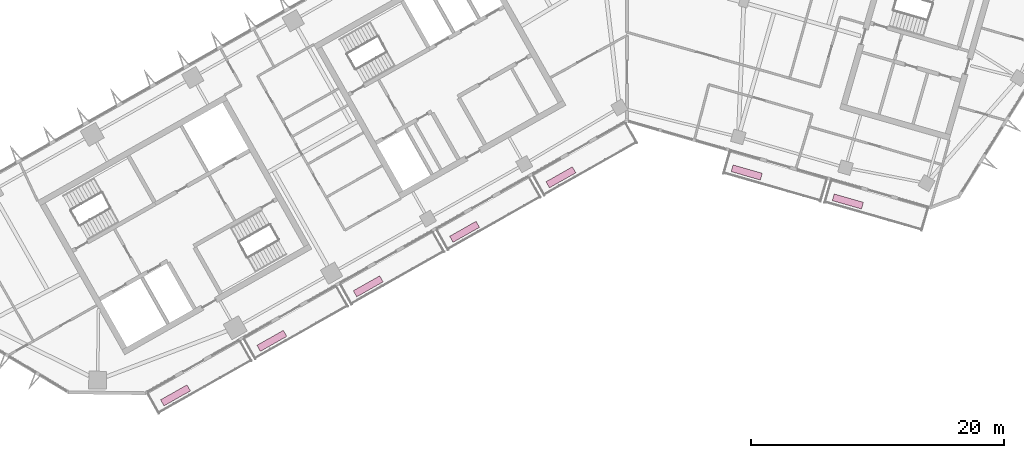
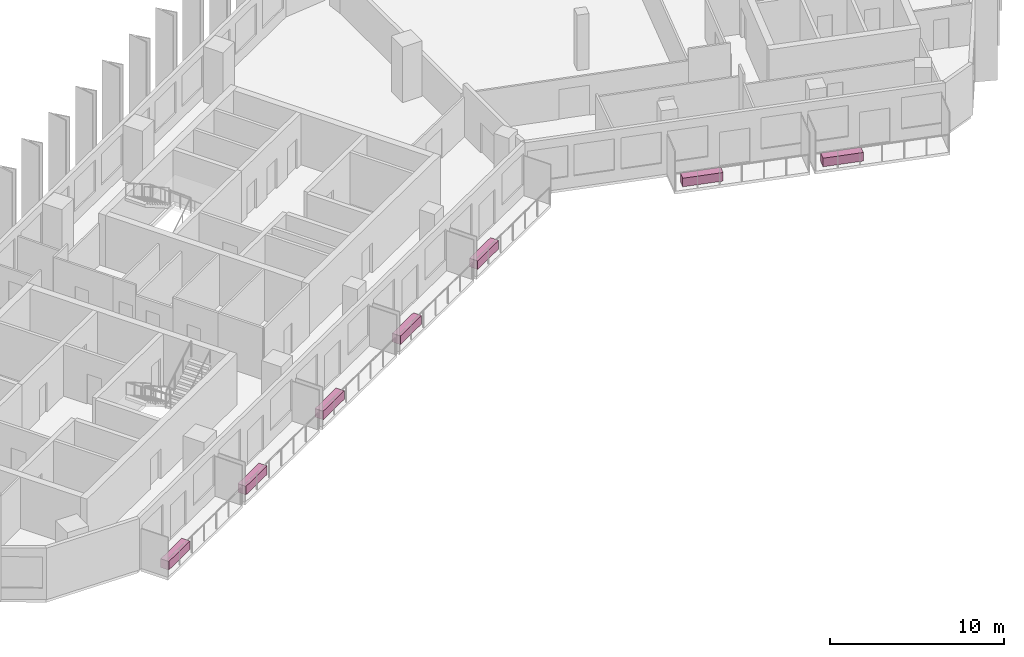
# One storey, part 11 of 11: 7 furnishings.
"""IFC4 building model written with IfcOpenShell, lengths in metres."""

from ifc_helpers import new_model, si_unit, direction, frame, origin, origin_2d, place, context, subcontext, project, spatial, rectangle, extrude, material, type_object, element, save


model = new_model("IFC4")

# Units and contexts
model_context = context("Model", 3, precision=1e-05, world=origin(), true_north=direction((0.0, 1.0)))
body_context = subcontext(model_context, "Body", "Model", "MODEL_VIEW")
ifc_project = project(units=[si_unit("LENGTHUNIT", "METRE"), si_unit("AREAUNIT", "SQUARE_METRE"), si_unit("VOLUMEUNIT", "CUBIC_METRE"), si_unit("PLANEANGLEUNIT", "RADIAN"), si_unit("MASSUNIT", "GRAM", prefix="KILO")], contexts=[model_context])

# Site, building, storey
site_placement = place(None, origin())
site = spatial("IfcSite", under=ifc_project, at=site_placement, CompositionType="ELEMENT")
building_placement = place(site_placement, origin())
building = spatial("IfcBuilding", under=site, at=building_placement, Name="Binnacle Exchange Tower", CompositionType="ELEMENT")
storey_placement = place(building_placement, frame((0.0, 0.0, 223.10009765625)))
storey = spatial("IfcBuildingStorey", under=building, at=storey_placement, Name="L49", CompositionType="ELEMENT", Elevation=223.10009765625)

# Furnishings
ifc_material = material(Name="Concrete C35/45", Category="concrete")
furnishing_element_type = type_object("IfcFurnishingElementType", Name="PLANTER 2400x550x600", material=ifc_material)
for number, where, z_axis, x_axis, name in (
    (1, (-35.698486328125, 26.2861328125, -0.000244140625), (0.0, 0.0, 1.0), (0.87035569594, 0.492423560103, 0.0), "Planter G01-B00a L49"),
    (2, (-28.078857421875, 30.59716796875, -0.000244140625), (0.0, 0.0, 1.0), (0.87035569594, 0.492423560103, 0.0), "Planter G01-B01a L49"),
    (3, (-20.459228515625, 34.908203125, -0.000244140625), (0.0, 0.0, 1.0), (0.87035569594, 0.492423560103, 0.0), "Planter G01-B02a L49"),
    (4, (-12.839599609375, 39.218994140625, -0.000244140625), (0.0, 0.0, 1.0), (0.87035569594, 0.492423560103, 0.0), "Planter G01-B03a L49"),
    (5, (-5.22021484375, 43.530029296875, -0.000244140625), (0.0, 0.0, 1.0), (0.87035569594, 0.492423560103, 0.0), "Planter G01-B04a L49"),
    (6, (9.474609375, 43.909912109375, -0.000244140625), (0.0, 0.0, 1.0), (0.961261695938, -0.275637355817, 0.0), "Planter G02-B01a L49"),
    (7, (17.47265625, 41.61669921875, -0.000244140625), (0.0, 0.0, 1.0), (0.961261695938, -0.275637355817, 0.0), "Planter G02-B02a L49"),
):
    element("IfcFurnishingElement", number, at=place(storey_placement, frame(where, z_axis=z_axis, x_axis=x_axis)), inside=storey, type_object=furnishing_element_type, Name=name, ObjectType="PLANTER", context=body_context, shape_type="SweptSolid", body=[
        extrude(rectangle(XDim=2.39990234375, YDim=0.550048828125, at=origin_2d()), origin(), (0.0, 0.0, 1.0), 0.60009765625),
    ])

save(model, "model.ifc")
